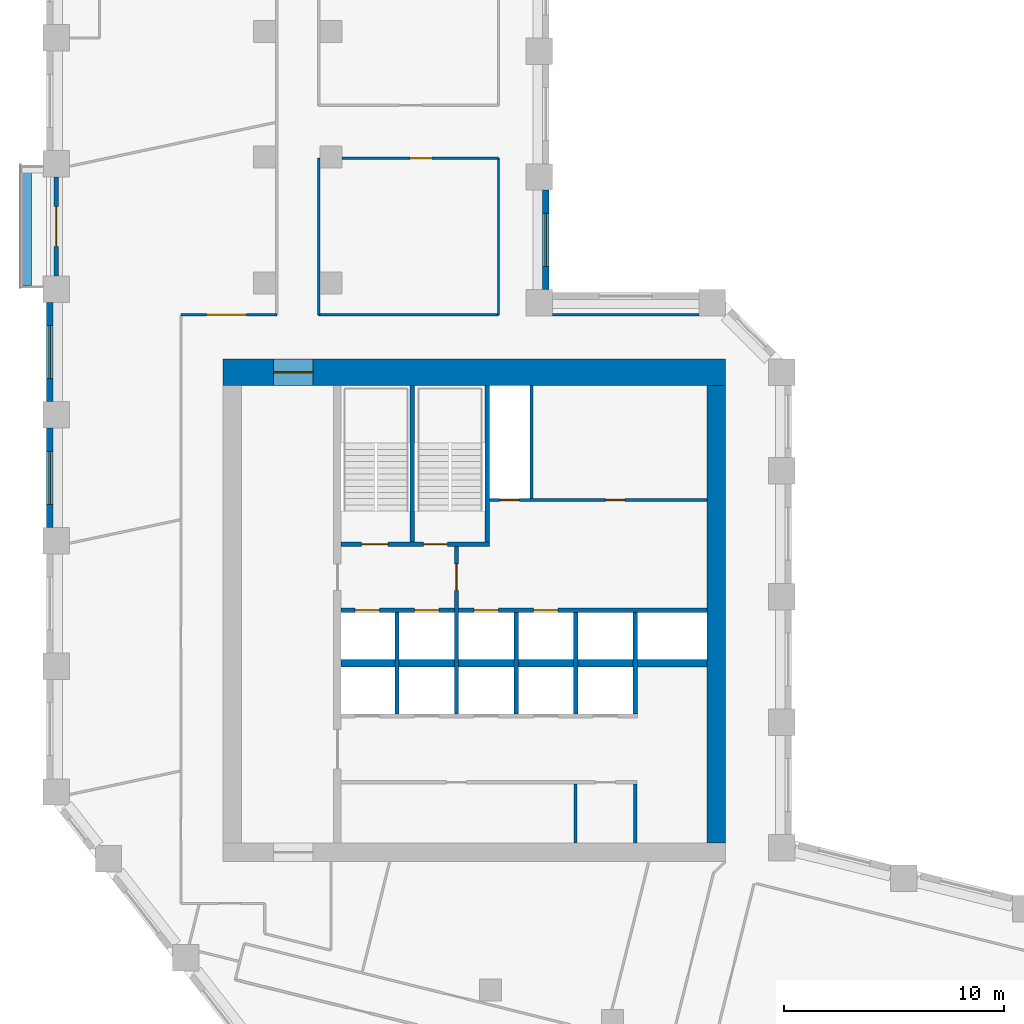
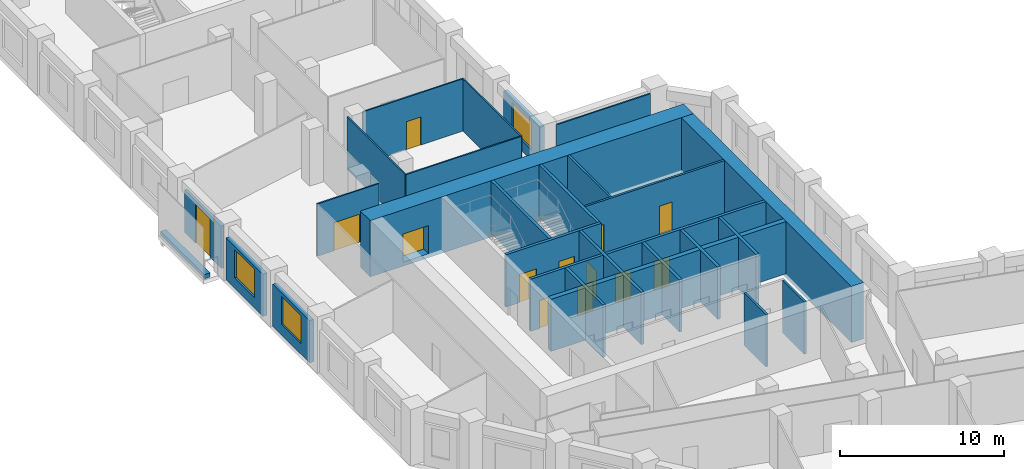
# One storey, part 5 of 10: 27 walls, 13 doors, 3 windows, 16 openings.
"""IFC4 building model written with IfcOpenShell, lengths in metres."""

from ifc_helpers import new_model, si_unit, direction, frame, frame_2d, origin, place, context, subcontext, project, spatial, rectangle, extrude, material, layer, layer_set, type_object, element, fill, save


model = new_model("IFC4")

# Units and contexts
model_context = context("Model", 3, precision=1e-05, world=origin(), true_north=direction((0.0, 1.0)))
body_context = subcontext(model_context, "Body", "Model", "MODEL_VIEW")
ifc_project = project(units=[si_unit("LENGTHUNIT", "METRE"), si_unit("AREAUNIT", "SQUARE_METRE"), si_unit("VOLUMEUNIT", "CUBIC_METRE"), si_unit("PLANEANGLEUNIT", "RADIAN"), si_unit("MASSUNIT", "GRAM", prefix="KILO")], contexts=[model_context])

# Site, building, storey
site_placement = place(None, origin())
site = spatial("IfcSite", under=ifc_project, at=site_placement, CompositionType="ELEMENT")
building_placement = place(site_placement, origin())
building = spatial("IfcBuilding", under=site, at=building_placement, Name="Meshkara Civic Tower", CompositionType="ELEMENT")
storey_placement = place(building_placement, frame((0.0, 0.0, 182.39990234375)))
storey = spatial("IfcBuildingStorey", under=building, at=storey_placement, Name="L41", CompositionType="ELEMENT", Elevation=182.39990234375)

# Wall, openings, doors
ifc_material_1 = material(Name="Blockwork", Category="masonry")
ifc_layer_1 = layer(ifc_material_1, 0.14990234375)
ifc_layer_set_1 = layer_set([ifc_layer_1], Name="Core partition 150")
wall_type_1 = type_object("IfcWallType", Name="Core partition 150", PredefinedType="PARTITIONING", material=ifc_layer_set_1)
wall_1_placement = place(storey_placement, frame((20.10009765625, 30.5, 0.0), z_axis=(0.0, 0.0, 1.0), x_axis=(1.0, 0.0, 0.0)))
wall_1 = element("IfcWall", 1, at=wall_1_placement, inside=storey, type_object=wall_type_1, Name="L41-C010", PredefinedType="PARTITIONING", context=body_context, shape_type="SweptSolid", body=[
    extrude(rectangle(XDim=9.849853515625, YDim=0.14990234375, at=frame_2d((4.9248046875, 0.0))), origin(), (0.0, 0.0, 1.0), 3.900146484375),
])
opening_1_placement = place(wall_1_placement, frame((0.449951171875, 0.0, 0.0)))
opening_1 = element("IfcOpeningElement", 2, at=opening_1_placement, cuts=wall_1, Name="Opening L41-K012", PredefinedType="OPENING", context=body_context, shape_type="SweptSolid", body=[
    extrude(rectangle(XDim=0.89990234375, YDim=2.10009765625, at=frame_2d((0.449951171875, 1.050048828125))), frame((0.0, 0.0849609375, 0.0), z_axis=(0.0, -1.0, 0.0), x_axis=(1.0, 0.0, 0.0)), (0.0, 0.0, 1.0), 0.169921875),
])
opening_2_placement = place(wall_1_placement, frame((5.25, 0.0, 0.0)))
opening_2 = element("IfcOpeningElement", 3, at=opening_2_placement, cuts=wall_1, Name="Opening L41-K013", PredefinedType="OPENING", context=body_context, shape_type="SweptSolid", body=[
    extrude(rectangle(XDim=0.89990234375, YDim=2.10009765625, at=frame_2d((0.449951171875, 1.050048828125))), frame((0.0, 0.0849609375, 0.0), z_axis=(0.0, -1.0, 0.0), x_axis=(1.0, 0.0, 0.0)), (0.0, 0.0, 1.0), 0.169921875),
])
ifc_material_2 = material(Name="Timber door leaf in steel frame", Category="steel")
door_type_1 = type_object("IfcDoorType", Name="Core room door 900", OperationType="SINGLE_SWING_LEFT", PredefinedType="DOOR", material=ifc_material_2)
door_1_placement = place(opening_2_placement, origin())
door_1 = element("IfcDoor", 4, at=door_1_placement, inside=storey, type_object=door_type_1, Name="L41-K013", OperationType="SINGLE_SWING_LEFT", OverallHeight=2.10009765625, OverallWidth=0.89990234375, PredefinedType="DOOR", context=body_context, shape_type="SweptSolid", body=[
    extrude(rectangle(XDim=0.89990234375, YDim=2.10009765625, at=frame_2d((0.449951171875, 1.050048828125))), frame((0.0, 0.02490234375, 0.0), z_axis=(0.0, -1.0, 0.0), x_axis=(1.0, 0.0, 0.0)), (0.0, 0.0, 1.0), 0.050048828125),
])
fill(opening_2, door_1)
ifc_material_3 = material(Name="Fire-rated door leaf in steel frame", Category="steel")
door_type_2 = type_object("IfcDoorType", Name="Riser door 900", OperationType="SINGLE_SWING_LEFT", PredefinedType="DOOR", material=ifc_material_3)
door_2_placement = place(opening_1_placement, origin())
door_2 = element("IfcDoor", 5, at=door_2_placement, inside=storey, type_object=door_type_2, Name="L41-K012", OperationType="SINGLE_SWING_RIGHT", OverallHeight=2.10009765625, OverallWidth=0.89990234375, PredefinedType="DOOR", context=body_context, shape_type="SweptSolid", body=[
    extrude(rectangle(XDim=0.89990234375, YDim=2.10009765625, at=frame_2d((0.449951171875, 1.050048828125))), frame((0.0, 0.02490234375, 0.0), z_axis=(0.0, -1.0, 0.0), x_axis=(1.0, 0.0, 0.0)), (0.0, 0.0, 1.0), 0.050048828125),
])
fill(opening_1, door_2)

# Walls
wall_2_placement = place(storey_placement, frame((22.0, 30.574951171875, 0.0), z_axis=(0.0, 0.0, 1.0), x_axis=(0.0, 1.0, 0.0)))
element("IfcWall", 6, at=wall_2_placement, inside=storey, type_object=wall_type_1, Name="L41-C017", PredefinedType="PARTITIONING", context=body_context, shape_type="SweptSolid", body=[
    extrude(rectangle(XDim=5.125, YDim=0.14990234375, at=frame_2d((2.5625, 0.0))), origin(), (0.0, 0.0, 1.0), 3.900146484375),
])
for number, where, z_axis, x_axis, name in (
    (7, (24.0, 14.949951171875, 0.0), (0.0, 0.0, 1.0), (0.0, 1.0, 0.0), "L41-C018"),
    (8, (26.699951171875, 14.949951171875, 0.0), (0.0, 0.0, 1.0), (0.0, 1.0, 0.0), "L41-C020"),
):
    element("IfcWall", number, at=place(storey_placement, frame(where, z_axis=z_axis, x_axis=x_axis)), inside=storey, type_object=wall_type_1, Name=name, PredefinedType="PARTITIONING", context=body_context, shape_type="SweptSolid", body=[
        extrude(rectangle(XDim=2.675048828125, YDim=0.14990234375, at=frame_2d((1.33740234375, 0.0))), origin(), (0.0, 0.0, 1.0), 3.900146484375),
    ])

# Wall, opening, door
ifc_material_4 = material(Name="Concrete C70", Category="concrete")
ifc_layer_2 = layer(ifc_material_4, 1.199951171875)
ifc_layer_set_2 = layer_set([ifc_layer_2], Name="Core ring wall 1200 C70")
wall_type_2 = type_object("IfcWallType", Name="Core ring wall 1200 C70", PredefinedType="SHEAR", material=ifc_layer_set_2)
wall_3_placement = place(storey_placement, frame((8.0, 36.300048828125, -0.2998046875), z_axis=(0.0, 0.0, 1.0), x_axis=(1.0, 0.0, 0.0)))
wall_3 = element("IfcWall", 9, at=wall_3_placement, inside=storey, type_object=wall_type_2, Name="L41-C002", PredefinedType="SHEAR", context=body_context, shape_type="SweptSolid", body=[
    extrude(rectangle(XDim=22.800048828125, YDim=1.199951171875, at=frame_2d((11.39990234375, 0.0))), origin(), (0.0, 0.0, 1.0), 4.199951171875),
])
opening_3_placement = place(wall_3_placement, frame((2.300048828125, 0.0, 0.300048828125)))
opening_3 = element("IfcOpeningElement", 10, at=opening_3_placement, cuts=wall_3, Name="Opening L41-K019", PredefinedType="OPENING", context=body_context, shape_type="SweptSolid", body=[
    extrude(rectangle(XDim=1.800048828125, YDim=2.10009765625, at=frame_2d((0.89990234375, 1.050048828125))), frame((0.0, 0.60986328125, 0.0), z_axis=(0.0, -1.0, 0.0), x_axis=(1.0, 0.0, 0.0)), (0.0, 0.0, 1.0), 1.219970703125),
])
ifc_material_5 = material(Name="Fire-rated door leaf in steel frame", Category="steel")
door_type_3 = type_object("IfcDoorType", Name="Core double door 1800 EI 60", OperationType="DOUBLE_DOOR_SINGLE_SWING", PredefinedType="DOOR", material=ifc_material_5)
door_3_placement = place(opening_3_placement, origin())
door_3 = element("IfcDoor", 11, at=door_3_placement, inside=storey, type_object=door_type_3, Name="L41-K019", OperationType="DOUBLE_DOOR_SINGLE_SWING", OverallHeight=2.10009765625, OverallWidth=1.800048828125, PredefinedType="DOOR", context=body_context, shape_type="SweptSolid", body=[
    extrude(rectangle(XDim=1.800048828125, YDim=2.10009765625, at=frame_2d((0.89990234375, 1.050048828125))), frame((0.0, 0.02490234375, 0.0), z_axis=(0.0, -1.0, 0.0), x_axis=(1.0, 0.0, 0.0)), (0.0, 0.0, 1.0), 0.050048828125),
])
fill(opening_3, door_3)

# Walls
ifc_material_6 = material(Name="Concrete C70", Category="concrete")
ifc_layer_3 = layer(ifc_material_6, 0.85009765625)
ifc_layer_set_3 = layer_set([ifc_layer_3], Name="Core ring wall 850 C70")
wall_type_3 = type_object("IfcWallType", Name="Core ring wall 850 C70", PredefinedType="SHEAR", material=ifc_layer_set_3)
wall_4_placement = place(storey_placement, frame((30.375, 14.949951171875, -0.2998046875), z_axis=(0.0, 0.0, 1.0), x_axis=(0.0, 1.0, 0.0)))
element("IfcWall", 12, at=wall_4_placement, inside=storey, type_object=wall_type_3, Name="L41-C004", PredefinedType="SHEAR", context=body_context, shape_type="SweptSolid", body=[
    extrude(rectangle(XDim=20.75, YDim=0.85009765625, at=frame_2d((10.375, 0.0))), origin(), (0.0, 0.0, 1.0), 4.199951171875),
])
ifc_material_7 = material(Name="Concrete C70", Category="concrete")
ifc_layer_4 = layer(ifc_material_7, 0.340087890625)
ifc_layer_set_4 = layer_set([ifc_layer_4], Name="Core shear wall 340 C70")
wall_type_4 = type_object("IfcWallType", Name="Core shear wall 340 C70", PredefinedType="SHEAR", material=ifc_layer_set_4)
wall_5_placement = place(storey_placement, frame((13.3701171875, 23.10009765625, 0.0), z_axis=(0.0, 0.0, 1.0), x_axis=(1.0, 0.0, 0.0)))
element("IfcWall", 13, at=wall_5_placement, inside=storey, type_object=wall_type_4, Name="L41-C007", PredefinedType="SHEAR", context=body_context, shape_type="SweptSolid", body=[
    extrude(rectangle(XDim=16.579833984375, YDim=0.340087890625, at=frame_2d((8.2900390625, 0.0))), origin(), (0.0, 0.0, 1.0), 3.900146484375),
])

# Wall, opening, door
ifc_material_8 = material(Name="Corridor wall 100")
ifc_layer_5 = layer(ifc_material_8, 0.10009765625)
ifc_layer_set_5 = layer_set([ifc_layer_5], Name="Corridor wall 100")
wall_type_5 = type_object("IfcWallType", Name="Corridor wall 100", PredefinedType="PARTITIONING", material=ifc_layer_set_5)
wall_6_placement = place(storey_placement, frame((10.449951171875, 38.89990234375, 0.0), z_axis=(0.0, 0.0, 1.0), x_axis=(-1.0, 0.0, 0.0)))
wall_6 = element("IfcWall", 14, at=wall_6_placement, inside=storey, type_object=wall_type_5, Name="L41-W011", PredefinedType="PARTITIONING", context=body_context, shape_type="SweptSolid", body=[
    extrude(rectangle(XDim=4.349853515625, YDim=0.10009765625, at=frame_2d((2.1748046875, 0.0))), origin(), (0.0, 0.0, 1.0), 3.900146484375),
])
opening_4_placement = place(wall_6_placement, frame((1.3798828125, 0.0, 0.0)))
opening_4 = element("IfcOpeningElement", 15, at=opening_4_placement, cuts=wall_6, Name="Opening L41-D017", PredefinedType="OPENING", context=body_context, shape_type="SweptSolid", body=[
    extrude(rectangle(XDim=1.800048828125, YDim=2.10009765625, at=frame_2d((0.89990234375, 1.050048828125))), frame((0.0, 0.06005859375, 0.0), z_axis=(0.0, -1.0, 0.0), x_axis=(1.0, 0.0, 0.0)), (0.0, 0.0, 1.0), 0.1201171875),
])
ifc_material_9 = material(Name="Door pair 1800 x 2100")
door_type_4 = type_object("IfcDoorType", Name="Door pair 1800 x 2100", OperationType="SINGLE_SWING_LEFT", PredefinedType="DOOR", material=ifc_material_9)
door_4_placement = place(opening_4_placement, origin())
door_4 = element("IfcDoor", 16, at=door_4_placement, inside=storey, type_object=door_type_4, Name="L41-D017", OperationType="DOUBLE_DOOR_SINGLE_SWING", OverallHeight=2.10009765625, OverallWidth=1.800048828125, PredefinedType="DOOR", context=body_context, shape_type="SweptSolid", body=[
    extrude(rectangle(XDim=1.800048828125, YDim=2.10009765625, at=frame_2d((0.89990234375, 1.050048828125))), frame((0.0, 0.02490234375, 0.0), z_axis=(0.0, -1.0, 0.0), x_axis=(1.0, 0.0, 0.0)), (0.0, 0.0, 1.0), 0.050048828125),
])
fill(opening_4, door_4)

# Wall
wall_7_placement = place(storey_placement, frame((12.35009765625, 38.89990234375, 0.0), z_axis=(0.0, 0.0, 1.0), x_axis=(0.0, 1.0, 0.0)))
element("IfcWall", 17, at=wall_7_placement, inside=storey, type_object=wall_type_5, Name="L41-W013", PredefinedType="PARTITIONING", context=body_context, shape_type="SweptSolid", body=[
    extrude(rectangle(XDim=7.10009765625, YDim=0.10009765625, at=frame_2d((3.550048828125, 0.0))), origin(), (0.0, 0.0, 1.0), 3.900146484375),
])

# Wall, opening, door
wall_8_placement = place(storey_placement, frame((13.39990234375, 46.0, 0.0), z_axis=(0.0, 0.0, 1.0), x_axis=(1.0, 0.0, 0.0)))
wall_8 = element("IfcWall", 18, at=wall_8_placement, inside=storey, type_object=wall_type_5, Name="L41-W017", PredefinedType="PARTITIONING", context=body_context, shape_type="SweptSolid", body=[
    extrude(rectangle(XDim=7.10009765625, YDim=0.10009765625, at=frame_2d((3.550048828125, 0.0))), origin(), (0.0, 0.0, 1.0), 3.900146484375),
])
opening_5_placement = place(wall_8_placement, frame((3.080078125, 0.0, 0.0)))
opening_5 = element("IfcOpeningElement", 19, at=opening_5_placement, cuts=wall_8, Name="Opening L41-D018", PredefinedType="OPENING", context=body_context, shape_type="SweptSolid", body=[
    extrude(rectangle(XDim=1.0, YDim=2.10009765625, at=frame_2d((0.5, 1.050048828125))), frame((0.0, 0.06005859375, 0.0), z_axis=(0.0, -1.0, 0.0), x_axis=(1.0, 0.0, 0.0)), (0.0, 0.0, 1.0), 0.1201171875),
])
ifc_material_10 = material(Name="Door 1000 x 2100")
door_type_5 = type_object("IfcDoorType", Name="Door 1000 x 2100", OperationType="SINGLE_SWING_LEFT", PredefinedType="DOOR", material=ifc_material_10)
door_5_placement = place(opening_5_placement, origin())
door_5 = element("IfcDoor", 20, at=door_5_placement, inside=storey, type_object=door_type_5, Name="L41-D018", OperationType="SINGLE_SWING_LEFT", OverallHeight=2.10009765625, OverallWidth=1.0, PredefinedType="DOOR", context=body_context, shape_type="SweptSolid", body=[
    extrude(rectangle(XDim=1.0, YDim=2.10009765625, at=frame_2d((0.5, 1.050048828125))), frame((0.0, 0.02490234375, 0.0), z_axis=(0.0, -1.0, 0.0), x_axis=(1.0, 0.0, 0.0)), (0.0, 0.0, 1.0), 0.050048828125),
])
fill(opening_5, door_5)

# Walls
wall_9_placement = place(storey_placement, frame((20.5, 38.89990234375, 0.0), z_axis=(0.0, 0.0, 1.0), x_axis=(-1.0, 0.0, 0.0)))
element("IfcWall", 21, at=wall_9_placement, inside=storey, type_object=wall_type_5, Name="L41-W020", PredefinedType="PARTITIONING", context=body_context, shape_type="SweptSolid", body=[
    extrude(rectangle(XDim=8.14990234375, YDim=0.10009765625, at=frame_2d((4.074951171875, 0.0))), origin(), (0.0, 0.0, 1.0), 3.900146484375),
])
wall_10_placement = place(storey_placement, frame((20.5, 46.0, 0.0), z_axis=(0.0, 0.0, 1.0), x_axis=(0.0, -1.0, 0.0)))
element("IfcWall", 22, at=wall_10_placement, inside=storey, type_object=wall_type_5, Name="L41-W021", PredefinedType="PARTITIONING", context=body_context, shape_type="SweptSolid", body=[
    extrude(rectangle(XDim=7.10009765625, YDim=0.10009765625, at=frame_2d((3.550048828125, 0.0))), origin(), (0.0, 0.0, 1.0), 3.900146484375),
])
wall_11_placement = place(storey_placement, frame((29.593994140625, 38.89990234375, 0.0), z_axis=(0.0, 0.0, 1.0), x_axis=(-1.0, 0.0, 0.0)))
element("IfcWall", 23, at=wall_11_placement, inside=storey, type_object=wall_type_5, Name="L41-W025", PredefinedType="PARTITIONING", context=body_context, shape_type="SweptSolid", body=[
    extrude(rectangle(XDim=6.64404296875, YDim=0.10009765625, at=frame_2d((3.322021484375, 0.0))), origin(), (0.0, 0.0, 1.0), 3.900146484375),
])

# Wall, opening, window
ifc_material_11 = material(Name="Insulated infill panel with bronze anodised aluminium cladding", Category="aluminium")
ifc_layer_6 = layer(ifc_material_11, 0.300048828125)
ifc_layer_set_6 = layer_set([ifc_layer_6], Name="EXTERNAL INFILL WALL 300")
wall_type_6 = type_object("IfcWallType", Name="EXTERNAL INFILL WALL 300", PredefinedType="SOLIDWALL", material=ifc_layer_set_6)
wall_12_placement = place(storey_placement, frame((22.64990234375, 40.050048828125, 0.0), z_axis=(0.0, 0.0, 1.0), x_axis=(0.0, 1.0, 0.0)))
wall_12 = element("IfcWall", 24, at=wall_12_placement, inside=storey, type_object=wall_type_6, Name="External wall", PredefinedType="SOLIDWALL", context=body_context, shape_type="SweptSolid", body=[
    extrude(rectangle(XDim=4.5, YDim=0.300048828125, at=frame_2d((2.25, 0.0))), origin(), (0.0, 0.0, 1.0), 3.150146484375),
])
opening_6_placement = place(wall_12_placement, frame((1.050048828125, 0.0, 0.800048828125)))
opening_6 = element("IfcOpeningElement", 25, at=opening_6_placement, cuts=wall_12, Name="Opening W7", PredefinedType="OPENING", context=body_context, shape_type="SweptSolid", body=[
    extrude(rectangle(XDim=2.39990234375, YDim=2.10009765625, at=frame_2d((1.199951171875, 1.050048828125))), frame((0.0, 0.159912109375, 0.0), z_axis=(0.0, -1.0, 0.0), x_axis=(1.0, 0.0, 0.0)), (0.0, 0.0, 1.0), 0.320068359375),
])
ifc_material_12 = material(Name="Tinted double glazing", Category="glass")
window_type = type_object("IfcWindowType", Name="WINDOW 2400x2100", PartitioningType="DOUBLE_PANEL_VERTICAL", PredefinedType="WINDOW", material=ifc_material_12)
window_1_placement = place(opening_6_placement, origin())
window_1 = element("IfcWindow", 26, at=window_1_placement, inside=storey, type_object=window_type, Name="Window", OverallHeight=2.10009765625, OverallWidth=2.39990234375, PartitioningType="DOUBLE_PANEL_VERTICAL", PredefinedType="WINDOW", context=body_context, shape_type="SweptSolid", body=[
    extrude(rectangle(XDim=2.39990234375, YDim=2.10009765625, at=frame_2d((1.199951171875, 1.050048828125))), frame((0.0, 0.030029296875, 0.0), z_axis=(0.0, -1.0, 0.0), x_axis=(1.0, 0.0, 0.0)), (0.0, 0.0, 1.0), 0.06005859375),
])
fill(opening_6, window_1)

wall_13_placement = place(storey_placement, frame((0.14990234375, 39.455078125, 0.0), z_axis=(0.0, 0.0, 1.0), x_axis=(0.0, -1.0, 0.0)))
wall_13 = element("IfcWall", 27, at=wall_13_placement, inside=storey, type_object=wall_type_6, Name="External wall", PredefinedType="SOLIDWALL", context=body_context, shape_type="SweptSolid", body=[
    extrude(rectangle(XDim=4.5, YDim=0.300048828125, at=frame_2d((2.25, 0.0))), origin(), (0.0, 0.0, 1.0), 3.150146484375),
])
opening_7_placement = place(wall_13_placement, frame((1.050048828125, 0.0, 0.800048828125)))
opening_7 = element("IfcOpeningElement", 28, at=opening_7_placement, cuts=wall_13, Name="Opening W7", PredefinedType="OPENING", context=body_context, shape_type="SweptSolid", body=[
    extrude(rectangle(XDim=2.39990234375, YDim=2.10009765625, at=frame_2d((1.199951171875, 1.050048828125))), frame((0.0, 0.159912109375, 0.0), z_axis=(0.0, -1.0, 0.0), x_axis=(1.0, 0.0, 0.0)), (0.0, 0.0, 1.0), 0.320068359375),
])
window_2_placement = place(opening_7_placement, origin())
window_2 = element("IfcWindow", 29, at=window_2_placement, inside=storey, type_object=window_type, Name="Window", OverallHeight=2.10009765625, OverallWidth=2.39990234375, PartitioningType="DOUBLE_PANEL_VERTICAL", PredefinedType="WINDOW", context=body_context, shape_type="SweptSolid", body=[
    extrude(rectangle(XDim=2.39990234375, YDim=2.10009765625, at=frame_2d((1.199951171875, 1.050048828125))), frame((0.0, 0.030029296875, 0.0), z_axis=(0.0, -1.0, 0.0), x_axis=(1.0, 0.0, 0.0)), (0.0, 0.0, 1.0), 0.06005859375),
])
fill(opening_7, window_2)

wall_14_placement = place(storey_placement, frame((0.14990234375, 33.7548828125, 0.0), z_axis=(0.0, 0.0, 1.0), x_axis=(0.0, -1.0, 0.0)))
wall_14 = element("IfcWall", 30, at=wall_14_placement, inside=storey, type_object=wall_type_6, Name="External wall", PredefinedType="SOLIDWALL", context=body_context, shape_type="SweptSolid", body=[
    extrude(rectangle(XDim=4.5, YDim=0.300048828125, at=frame_2d((2.25, 0.0))), origin(), (0.0, 0.0, 1.0), 3.150146484375),
])
opening_8_placement = place(wall_14_placement, frame((1.050048828125, 0.0, 0.800048828125)))
opening_8 = element("IfcOpeningElement", 31, at=opening_8_placement, cuts=wall_14, Name="Opening W7", PredefinedType="OPENING", context=body_context, shape_type="SweptSolid", body=[
    extrude(rectangle(XDim=2.39990234375, YDim=2.10009765625, at=frame_2d((1.199951171875, 1.050048828125))), frame((0.0, 0.159912109375, 0.0), z_axis=(0.0, -1.0, 0.0), x_axis=(1.0, 0.0, 0.0)), (0.0, 0.0, 1.0), 0.320068359375),
])
window_3_placement = place(opening_8_placement, origin())
window_3 = element("IfcWindow", 32, at=window_3_placement, inside=storey, type_object=window_type, Name="Window", OverallHeight=2.10009765625, OverallWidth=2.39990234375, PartitioningType="DOUBLE_PANEL_VERTICAL", PredefinedType="WINDOW", context=body_context, shape_type="SweptSolid", body=[
    extrude(rectangle(XDim=2.39990234375, YDim=2.10009765625, at=frame_2d((1.199951171875, 1.050048828125))), frame((0.0, 0.030029296875, 0.0), z_axis=(0.0, -1.0, 0.0), x_axis=(1.0, 0.0, 0.0)), (0.0, 0.0, 1.0), 0.06005859375),
])
fill(opening_8, window_3)

# Wall, opening, door
ifc_material_13 = material(Name="Insulated infill panel with bronze anodised aluminium cladding", Category="aluminium")
ifc_layer_7 = layer(ifc_material_13, 0.199951171875)
ifc_layer_set_7 = layer_set([ifc_layer_7], Name="LOGGIA BACK WALL 200")
wall_type_7 = type_object("IfcWallType", Name="LOGGIA BACK WALL 200", PredefinedType="SOLIDWALL", material=ifc_layer_set_7)
wall_15_placement = place(storey_placement, frame((0.449951171875, 45.154052734375, 0.0), z_axis=(0.0, 0.0, 1.0), x_axis=(0.0, -1.0, 0.0)))
wall_15 = element("IfcWall", 33, at=wall_15_placement, inside=storey, type_object=wall_type_7, Name="Loggia wall", PredefinedType="SOLIDWALL", context=body_context, shape_type="SweptSolid", body=[
    extrude(rectangle(XDim=4.498046875, YDim=0.199951171875, at=frame_2d((2.2490234375, 0.0))), origin(), (0.0, 0.0, 1.0), 3.150146484375),
])
opening_9_placement = place(wall_15_placement, frame((1.35009765625, 0.0, 0.0)))
opening_9 = element("IfcOpeningElement", 34, at=opening_9_placement, cuts=wall_15, Name="Opening L41-L001", PredefinedType="OPENING", context=body_context, shape_type="SweptSolid", body=[
    extrude(rectangle(XDim=1.800048828125, YDim=2.89990234375, at=frame_2d((0.89990234375, 1.449951171875))), frame((0.0, 0.10986328125, 0.0), z_axis=(0.0, -1.0, 0.0), x_axis=(1.0, 0.0, 0.0)), (0.0, 0.0, 1.0), 0.219970703125),
])
ifc_material_14 = material(Name="Tinted double glazing", Category="glass")
door_type_6 = type_object("IfcDoorType", Name="LOGGIA DOOR 1800x2900", OperationType="DOUBLE_DOOR_SINGLE_SWING", PredefinedType="DOOR", material=ifc_material_14)
door_6_placement = place(opening_9_placement, origin())
door_6 = element("IfcDoor", 35, at=door_6_placement, inside=storey, type_object=door_type_6, Name="L41-L001", OperationType="DOUBLE_DOOR_SINGLE_SWING", OverallHeight=2.89990234375, OverallWidth=1.800048828125, PredefinedType="DOOR", context=body_context, shape_type="SweptSolid", body=[
    extrude(rectangle(XDim=1.800048828125, YDim=2.89990234375, at=frame_2d((0.89990234375, 1.449951171875))), frame((0.0, 0.02490234375, 0.0), z_axis=(0.0, -1.0, 0.0), x_axis=(1.0, 0.0, 0.0)), (0.0, 0.0, 1.0), 0.050048828125),
])
fill(opening_9, door_6)

# Wall
ifc_material_15 = material(Name="Concrete C40", Category="concrete")
ifc_layer_8 = layer(ifc_material_15, 0.39990234375)
ifc_layer_set_8 = layer_set([ifc_layer_8], Name="PLANTER TRAY")
wall_type_8 = type_object("IfcWallType", Name="PLANTER TRAY", PredefinedType="SOLIDWALL", material=ifc_layer_set_8)
wall_16_placement = place(storey_placement, frame((-0.8798828125, 45.5849609375, 0.0), z_axis=(0.0, 0.0, 1.0), x_axis=(0.0, -1.0, 0.0)))
element("IfcWall", 36, at=wall_16_placement, inside=storey, type_object=wall_type_8, Name="Planter", PredefinedType="SOLIDWALL", context=body_context, shape_type="SweptSolid", body=[
    extrude(rectangle(XDim=5.35986328125, YDim=0.39990234375, at=frame_2d((2.679931640625, 0.0))), origin(), (0.0, 0.0, 1.0), 0.300048828125),
])

# Wall, openings, doors
ifc_material_16 = material(Name="Concrete C40/50", Category="concrete")
ifc_layer_9 = layer(ifc_material_16, 0.199951171875)
ifc_layer_set_9 = layer_set([ifc_layer_9], Name="Shaft wall 200 C40/50")
wall_type_9 = type_object("IfcWallType", Name="Shaft wall 200 C40/50", PredefinedType="SOLIDWALL", material=ifc_layer_set_9)
wall_17_placement = place(storey_placement, frame((13.3701171875, 25.5, 0.0), z_axis=(0.0, 0.0, 1.0), x_axis=(1.0, 0.0, 0.0)))
wall_17 = element("IfcWall", 37, at=wall_17_placement, inside=storey, type_object=wall_type_9, Name="L41-C008", PredefinedType="SOLIDWALL", context=body_context, shape_type="SweptSolid", body=[
    extrude(rectangle(XDim=16.579833984375, YDim=0.199951171875, at=frame_2d((8.2900390625, 0.0))), origin(), (0.0, 0.0, 1.0), 3.900146484375),
])
opening_10_placement = place(wall_17_placement, frame((0.6298828125, 0.0, 0.0)))
opening_10 = element("IfcOpeningElement", 38, at=opening_10_placement, cuts=wall_17, Name="Opening L41-K006", PredefinedType="OPENING", context=body_context, shape_type="SweptSolid", body=[
    extrude(rectangle(XDim=1.10009765625, YDim=2.10009765625, at=frame_2d((0.550048828125, 1.050048828125))), frame((0.0, 0.10986328125, 0.0), z_axis=(0.0, -1.0, 0.0), x_axis=(1.0, 0.0, 0.0)), (0.0, 0.0, 1.0), 0.219970703125),
])
opening_11_placement = place(wall_17_placement, frame((3.330078125, 0.0, 0.0)))
opening_11 = element("IfcOpeningElement", 39, at=opening_11_placement, cuts=wall_17, Name="Opening L41-K007", PredefinedType="OPENING", context=body_context, shape_type="SweptSolid", body=[
    extrude(rectangle(XDim=1.10009765625, YDim=2.10009765625, at=frame_2d((0.550048828125, 1.050048828125))), frame((0.0, 0.10986328125, 0.0), z_axis=(0.0, -1.0, 0.0), x_axis=(1.0, 0.0, 0.0)), (0.0, 0.0, 1.0), 0.219970703125),
])
opening_12_placement = place(wall_17_placement, frame((6.030029296875, 0.0, 0.0)))
opening_12 = element("IfcOpeningElement", 40, at=opening_12_placement, cuts=wall_17, Name="Opening L41-K008", PredefinedType="OPENING", context=body_context, shape_type="SweptSolid", body=[
    extrude(rectangle(XDim=1.10009765625, YDim=2.10009765625, at=frame_2d((0.550048828125, 1.050048828125))), frame((0.0, 0.10986328125, 0.0), z_axis=(0.0, -1.0, 0.0), x_axis=(1.0, 0.0, 0.0)), (0.0, 0.0, 1.0), 0.219970703125),
])
opening_13_placement = place(wall_17_placement, frame((8.72998046875, 0.0, 0.0)))
opening_13 = element("IfcOpeningElement", 41, at=opening_13_placement, cuts=wall_17, Name="Opening L41-K009", PredefinedType="OPENING", context=body_context, shape_type="SweptSolid", body=[
    extrude(rectangle(XDim=1.10009765625, YDim=2.10009765625, at=frame_2d((0.550048828125, 1.050048828125))), frame((0.0, 0.10986328125, 0.0), z_axis=(0.0, -1.0, 0.0), x_axis=(1.0, 0.0, 0.0)), (0.0, 0.0, 1.0), 0.219970703125),
])
ifc_material_17 = material(Name="Stainless steel landing door", Category="steel")
door_type_7 = type_object("IfcDoorType", Name="Lift landing door 1100", OperationType="SLIDING_TO_LEFT", PredefinedType="DOOR", material=ifc_material_17)
door_7_placement = place(opening_10_placement, origin())
door_7 = element("IfcDoor", 42, at=door_7_placement, inside=storey, type_object=door_type_7, Name="L41-K006", OperationType="SLIDING_TO_LEFT", OverallHeight=2.10009765625, OverallWidth=1.10009765625, PredefinedType="DOOR", context=body_context, shape_type="SweptSolid", body=[
    extrude(rectangle(XDim=1.10009765625, YDim=2.10009765625, at=frame_2d((0.550048828125, 1.050048828125))), frame((0.0, 0.02490234375, 0.0), z_axis=(0.0, -1.0, 0.0), x_axis=(1.0, 0.0, 0.0)), (0.0, 0.0, 1.0), 0.050048828125),
])
fill(opening_10, door_7)
door_8_placement = place(opening_11_placement, origin())
door_8 = element("IfcDoor", 43, at=door_8_placement, inside=storey, type_object=door_type_7, Name="L41-K007", OperationType="SLIDING_TO_LEFT", OverallHeight=2.10009765625, OverallWidth=1.10009765625, PredefinedType="DOOR", context=body_context, shape_type="SweptSolid", body=[
    extrude(rectangle(XDim=1.10009765625, YDim=2.10009765625, at=frame_2d((0.550048828125, 1.050048828125))), frame((0.0, 0.02490234375, 0.0), z_axis=(0.0, -1.0, 0.0), x_axis=(1.0, 0.0, 0.0)), (0.0, 0.0, 1.0), 0.050048828125),
])
fill(opening_11, door_8)
door_9_placement = place(opening_12_placement, origin())
door_9 = element("IfcDoor", 44, at=door_9_placement, inside=storey, type_object=door_type_7, Name="L41-K008", OperationType="SLIDING_TO_LEFT", OverallHeight=2.10009765625, OverallWidth=1.10009765625, PredefinedType="DOOR", context=body_context, shape_type="SweptSolid", body=[
    extrude(rectangle(XDim=1.10009765625, YDim=2.10009765625, at=frame_2d((0.550048828125, 1.050048828125))), frame((0.0, 0.02490234375, 0.0), z_axis=(0.0, -1.0, 0.0), x_axis=(1.0, 0.0, 0.0)), (0.0, 0.0, 1.0), 0.050048828125),
])
fill(opening_12, door_9)
door_10_placement = place(opening_13_placement, origin())
door_10 = element("IfcDoor", 45, at=door_10_placement, inside=storey, type_object=door_type_7, Name="L41-K009", OperationType="SLIDING_TO_LEFT", OverallHeight=2.10009765625, OverallWidth=1.10009765625, PredefinedType="DOOR", context=body_context, shape_type="SweptSolid", body=[
    extrude(rectangle(XDim=1.10009765625, YDim=2.10009765625, at=frame_2d((0.550048828125, 1.050048828125))), frame((0.0, 0.02490234375, 0.0), z_axis=(0.0, -1.0, 0.0), x_axis=(1.0, 0.0, 0.0)), (0.0, 0.0, 1.0), 0.050048828125),
])
fill(opening_13, door_10)

# Wall
wall_18_placement = place(storey_placement, frame((15.89990234375, 20.800048828125, 0.0), z_axis=(0.0, 0.0, 1.0), x_axis=(0.0, 1.0, 0.0)))
element("IfcWall", 46, at=wall_18_placement, inside=storey, type_object=wall_type_9, Name="L41-C012", PredefinedType="SOLIDWALL", context=body_context, shape_type="SweptSolid", body=[
    extrude(rectangle(XDim=4.599853515625, YDim=0.199951171875, at=frame_2d((2.2998046875, 0.0))), origin(), (0.0, 0.0, 1.0), 3.900146484375),
])

# Wall, opening, door
wall_19_placement = place(storey_placement, frame((18.60009765625, 20.800048828125, 0.0), z_axis=(0.0, 0.0, 1.0), x_axis=(0.0, 1.0, 0.0)))
wall_19 = element("IfcWall", 47, at=wall_19_placement, inside=storey, type_object=wall_type_9, Name="L41-C014", PredefinedType="SOLIDWALL", context=body_context, shape_type="SweptSolid", body=[
    extrude(rectangle(XDim=7.599853515625, YDim=0.199951171875, at=frame_2d((3.7998046875, 0.0))), origin(), (0.0, 0.0, 1.0), 3.900146484375),
])
opening_14_placement = place(wall_19_placement, frame((5.60009765625, 0.0, 0.0)))
opening_14 = element("IfcOpeningElement", 48, at=opening_14_placement, cuts=wall_19, Name="Opening L41-K018", PredefinedType="OPENING", context=body_context, shape_type="SweptSolid", body=[
    extrude(rectangle(XDim=1.199951171875, YDim=2.10009765625, at=frame_2d((0.60009765625, 1.050048828125))), frame((0.0, 0.10986328125, 0.0), z_axis=(0.0, -1.0, 0.0), x_axis=(1.0, 0.0, 0.0)), (0.0, 0.0, 1.0), 0.219970703125),
])
ifc_material_18 = material(Name="Fire-rated door leaf in steel frame", Category="steel")
door_type_8 = type_object("IfcDoorType", Name="Fire-fighting lobby door 1200 EI 120", OperationType="SINGLE_SWING_LEFT", PredefinedType="DOOR", material=ifc_material_18)
door_11_placement = place(opening_14_placement, origin())
door_11 = element("IfcDoor", 49, at=door_11_placement, inside=storey, type_object=door_type_8, Name="L41-K018", OperationType="SINGLE_SWING_RIGHT", OverallHeight=2.10009765625, OverallWidth=1.199951171875, PredefinedType="DOOR", context=body_context, shape_type="SweptSolid", body=[
    extrude(rectangle(XDim=1.199951171875, YDim=2.10009765625, at=frame_2d((0.60009765625, 1.050048828125))), frame((0.0, 0.02490234375, 0.0), z_axis=(0.0, -1.0, 0.0), x_axis=(1.0, 0.0, 0.0)), (0.0, 0.0, 1.0), 0.050048828125),
])
fill(opening_14, door_11)

# Walls
for number, where, z_axis, x_axis, name in (
    (50, (21.300048828125, 20.800048828125, 0.0), (0.0, 0.0, 1.0), (0.0, 1.0, 0.0), "L41-C016"),
    (51, (24.0, 20.800048828125, 0.0), (0.0, 0.0, 1.0), (0.0, 1.0, 0.0), "L41-C019"),
    (52, (26.699951171875, 20.800048828125, 0.0), (0.0, 0.0, 1.0), (0.0, 1.0, 0.0), "L41-C021"),
):
    element("IfcWall", number, at=place(storey_placement, frame(where, z_axis=z_axis, x_axis=x_axis)), inside=storey, type_object=wall_type_9, Name=name, PredefinedType="SOLIDWALL", context=body_context, shape_type="SweptSolid", body=[
        extrude(rectangle(XDim=4.599853515625, YDim=0.199951171875, at=frame_2d((2.2998046875, 0.0))), origin(), (0.0, 0.0, 1.0), 3.900146484375),
    ])

# Wall, openings, doors
ifc_material_19 = material(Name="Concrete C40/50", Category="concrete")
ifc_layer_10 = layer(ifc_material_19, 0.199951171875)
ifc_layer_set_10 = layer_set([ifc_layer_10], Name="Stair enclosure wall 200 C40/50")
wall_type_10 = type_object("IfcWallType", Name="Stair enclosure wall 200 C40/50", PredefinedType="SOLIDWALL", material=ifc_layer_set_10)
wall_20_placement = place(storey_placement, frame((13.3701171875, 28.5, 0.0), z_axis=(0.0, 0.0, 1.0), x_axis=(1.0, 0.0, 0.0)))
wall_20 = element("IfcWall", 53, at=wall_20_placement, inside=storey, type_object=wall_type_10, Name="L41-C009", PredefinedType="SOLIDWALL", context=body_context, shape_type="SweptSolid", body=[
    extrude(rectangle(XDim=6.72998046875, YDim=0.199951171875, at=frame_2d((3.364990234375, 0.0))), origin(), (0.0, 0.0, 1.0), 3.900146484375),
])
opening_15_placement = place(wall_20_placement, frame((0.929931640625, 0.0, 0.0)))
opening_15 = element("IfcOpeningElement", 54, at=opening_15_placement, cuts=wall_20, Name="Opening L41-K014", PredefinedType="OPENING", context=body_context, shape_type="SweptSolid", body=[
    extrude(rectangle(XDim=1.199951171875, YDim=2.10009765625, at=frame_2d((0.60009765625, 1.050048828125))), frame((0.0, 0.10986328125, 0.0), z_axis=(0.0, -1.0, 0.0), x_axis=(1.0, 0.0, 0.0)), (0.0, 0.0, 1.0), 0.219970703125),
])
opening_16_placement = place(wall_20_placement, frame((3.72998046875, 0.0, 0.0)))
opening_16 = element("IfcOpeningElement", 55, at=opening_16_placement, cuts=wall_20, Name="Opening L41-K015", PredefinedType="OPENING", context=body_context, shape_type="SweptSolid", body=[
    extrude(rectangle(XDim=1.10009765625, YDim=2.10009765625, at=frame_2d((0.550048828125, 1.050048828125))), frame((0.0, 0.10986328125, 0.0), z_axis=(0.0, -1.0, 0.0), x_axis=(1.0, 0.0, 0.0)), (0.0, 0.0, 1.0), 0.219970703125),
])
ifc_material_20 = material(Name="Fire-rated door leaf in steel frame", Category="steel")
door_type_9 = type_object("IfcDoorType", Name="Stair door 1100 EI 120", OperationType="SINGLE_SWING_LEFT", PredefinedType="DOOR", material=ifc_material_20)
door_12_placement = place(opening_16_placement, origin())
door_12 = element("IfcDoor", 56, at=door_12_placement, inside=storey, type_object=door_type_9, Name="L41-K015", OperationType="SINGLE_SWING_LEFT", OverallHeight=2.10009765625, OverallWidth=1.10009765625, PredefinedType="DOOR", context=body_context, shape_type="SweptSolid", body=[
    extrude(rectangle(XDim=1.10009765625, YDim=2.10009765625, at=frame_2d((0.550048828125, 1.050048828125))), frame((0.0, 0.02490234375, 0.0), z_axis=(0.0, -1.0, 0.0), x_axis=(1.0, 0.0, 0.0)), (0.0, 0.0, 1.0), 0.050048828125),
])
fill(opening_16, door_12)
ifc_material_21 = material(Name="Fire-rated door leaf in steel frame", Category="steel")
door_type_10 = type_object("IfcDoorType", Name="Stair door 1200 EI 120", OperationType="SINGLE_SWING_LEFT", PredefinedType="DOOR", material=ifc_material_21)
door_13_placement = place(opening_15_placement, origin())
door_13 = element("IfcDoor", 57, at=door_13_placement, inside=storey, type_object=door_type_10, Name="L41-K014", OperationType="SINGLE_SWING_RIGHT", OverallHeight=2.10009765625, OverallWidth=1.199951171875, PredefinedType="DOOR", context=body_context, shape_type="SweptSolid", body=[
    extrude(rectangle(XDim=1.199951171875, YDim=2.10009765625, at=frame_2d((0.60009765625, 1.050048828125))), frame((0.0, 0.02490234375, 0.0), z_axis=(0.0, -1.0, 0.0), x_axis=(1.0, 0.0, 0.0)), (0.0, 0.0, 1.0), 0.050048828125),
])
fill(opening_15, door_13)

# Walls
for number, where, z_axis, x_axis, name in (
    (58, (16.60009765625, 28.60009765625, 0.0), (0.0, 0.0, 1.0), (0.0, 1.0, 0.0), "L41-C013"),
    (59, (20.0, 28.60009765625, 0.0), (0.0, 0.0, 1.0), (0.0, 1.0, 0.0), "L41-C015"),
):
    element("IfcWall", number, at=place(storey_placement, frame(where, z_axis=z_axis, x_axis=x_axis)), inside=storey, type_object=wall_type_10, Name=name, PredefinedType="SOLIDWALL", context=body_context, shape_type="SweptSolid", body=[
        extrude(rectangle(XDim=7.099853515625, YDim=0.199951171875, at=frame_2d((3.5498046875, 0.0))), origin(), (0.0, 0.0, 1.0), 3.900146484375),
    ])

save(model, "model.ifc")
